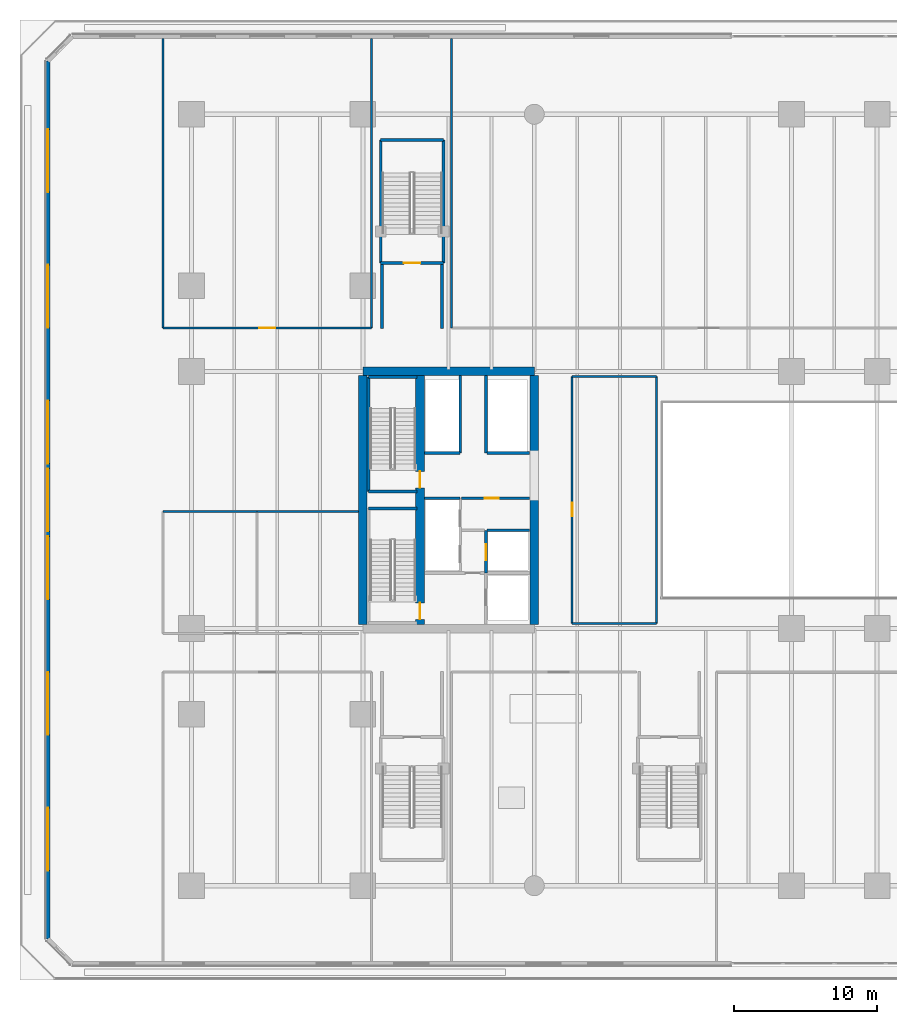
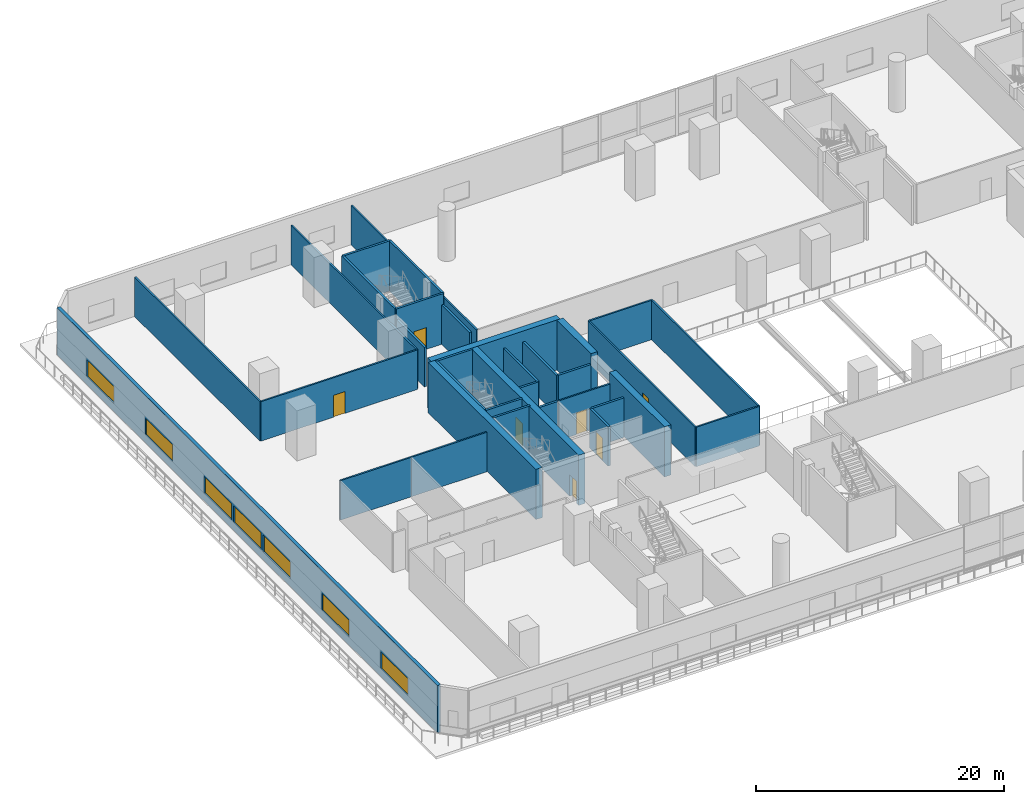
# One storey, part 7 of 24: 34 walls, 7 doors, 7 windows, 14 openings.
"""IFC4 building model written with IfcOpenShell, lengths in metres."""

from ifc_helpers import new_model, si_unit, direction, frame, frame_2d, origin, place, context, subcontext, project, spatial, rectangle, extrude, material, layer, layer_set, type_object, element, fill, save


model = new_model("IFC4")

# Units and contexts
model_context = context("Model", 3, precision=1e-05, world=origin(), true_north=direction((0.0, 1.0)))
body_context = subcontext(model_context, "Body", "Model", "MODEL_VIEW")
ifc_project = project(units=[si_unit("LENGTHUNIT", "METRE"), si_unit("AREAUNIT", "SQUARE_METRE"), si_unit("VOLUMEUNIT", "CUBIC_METRE"), si_unit("PLANEANGLEUNIT", "RADIAN"), si_unit("MASSUNIT", "GRAM", prefix="KILO")], contexts=[model_context])

# Site, building, storey
site_placement = place(None, origin())
site = spatial("IfcSite", under=ifc_project, at=site_placement, CompositionType="ELEMENT")
building_placement = place(site_placement, origin())
building = spatial("IfcBuilding", under=site, at=building_placement, Name="Tanjung Sevakor Pilgrim Tower", CompositionType="ELEMENT")
storey_placement = place(building_placement, frame((0.0, 0.0, 4.949951171875)))
storey = spatial("IfcBuildingStorey", under=building, at=storey_placement, Name="L02", CompositionType="ELEMENT", Elevation=4.949951171875)

# Walls
ifc_material_1 = material(Name="Concrete C60/75", Category="concrete")
ifc_layer_1 = layer(ifc_material_1, 0.60009765625)
ifc_layer_set_1 = layer_set([ifc_layer_1], Name="WALL-CW-600")
wall_type_1 = type_object("IfcWallType", Name="WALL-CW-600", PredefinedType="SHEAR", material=ifc_layer_set_1)
wall_1_placement = place(storey_placement, frame((36.0, 42.60009765625, 0.0), z_axis=(0.0, 0.0, 1.0), x_axis=(-1.0, 0.0, 0.0)))
element("IfcWall", 1, at=wall_1_placement, inside=storey, type_object=wall_type_1, Name="L02 W Core North Shear Wall", PredefinedType="SHEAR", context=body_context, shape_type="SweptSolid", body=[
    extrude(rectangle(XDim=12.0, YDim=0.60009765625, at=frame_2d((6.0, 0.0))), origin(), (0.0, 0.0, 1.0), 4.949951171875),
])
wall_2_placement = place(storey_placement, frame((24.0, 24.89990234375, 0.0), z_axis=(0.0, 0.0, 1.0), x_axis=(0.0, 1.0, 0.0)))
element("IfcWall", 2, at=wall_2_placement, inside=storey, type_object=wall_type_1, Name="L02 W Core Outer Shear Wall", PredefinedType="SHEAR", context=body_context, shape_type="SweptSolid", body=[
    extrude(rectangle(XDim=17.400146484375, YDim=0.60009765625, at=frame_2d((8.7001953125, 0.0))), origin(), (0.0, 0.0, 1.0), 4.949951171875),
])
wall_3_placement = place(storey_placement, frame((36.0, 24.89990234375, 0.0), z_axis=(0.0, 0.0, 1.0), x_axis=(0.0, 1.0, 0.0)))
element("IfcWall", 3, at=wall_3_placement, inside=storey, type_object=wall_type_1, Name="L02 W Core Inner Shear Wall South", PredefinedType="SHEAR", context=body_context, shape_type="SweptSolid", body=[
    extrude(rectangle(XDim=8.900146484375, YDim=0.60009765625, at=frame_2d((4.4501953125, 0.0))), origin(), (0.0, 0.0, 1.0), 4.949951171875),
])
wall_4_placement = place(storey_placement, frame((36.0, 36.800048828125, 0.0), z_axis=(0.0, 0.0, 1.0), x_axis=(0.0, 1.0, 0.0)))
element("IfcWall", 4, at=wall_4_placement, inside=storey, type_object=wall_type_1, Name="L02 W Core Inner Shear Wall North", PredefinedType="SHEAR", context=body_context, shape_type="SweptSolid", body=[
    extrude(rectangle(XDim=5.5, YDim=0.60009765625, at=frame_2d((2.75, 0.0))), origin(), (0.0, 0.0, 1.0), 4.949951171875),
])

# Wall, openings, doors
wall_5_placement = place(storey_placement, frame((28.0, 24.89990234375, 0.0), z_axis=(0.0, 0.0, 1.0), x_axis=(0.0, 1.0, 0.0)))
wall_5 = element("IfcWall", 5, at=wall_5_placement, inside=storey, type_object=wall_type_1, Name="L02 W Core Stair Spine Wall", PredefinedType="SHEAR", context=body_context, shape_type="SweptSolid", body=[
    extrude(rectangle(XDim=17.400146484375, YDim=0.60009765625, at=frame_2d((8.7001953125, 0.0))), origin(), (0.0, 0.0, 1.0), 4.949951171875),
])
opening_1_placement = place(wall_5_placement, frame((0.35009765625, 0.0, 0.0)))
opening_1 = element("IfcOpeningElement", 6, at=opening_1_placement, cuts=wall_5, Name="Opening ID-ST1", PredefinedType="OPENING", context=body_context, shape_type="SweptSolid", body=[
    extrude(rectangle(XDim=1.14990234375, YDim=2.14990234375, at=frame_2d((0.574951171875, 1.074951171875))), frame((0.0, 0.31005859375, 0.0), z_axis=(0.0, -1.0, 0.0), x_axis=(1.0, 0.0, 0.0)), (0.0, 0.0, 1.0), 0.6201171875),
])
opening_2_placement = place(wall_5_placement, frame((9.550048828125, 0.0, 0.0)))
opening_2 = element("IfcOpeningElement", 7, at=opening_2_placement, cuts=wall_5, Name="Opening ID-ST1", PredefinedType="OPENING", context=body_context, shape_type="SweptSolid", body=[
    extrude(rectangle(XDim=1.14990234375, YDim=2.14990234375, at=frame_2d((0.574951171875, 1.074951171875))), frame((0.0, 0.31005859375, 0.0), z_axis=(0.0, -1.0, 0.0), x_axis=(1.0, 0.0, 0.0)), (0.0, 0.0, 1.0), 0.6201171875),
])
ifc_material_2 = material(Name="Fire-Rated Steel S355J2", Category="steel")
door_type_1 = type_object("IfcDoorType", Name="DT-FIRE-1150", OperationType="NOTDEFINED", PredefinedType="DOOR", material=ifc_material_2)
door_1_placement = place(opening_1_placement, origin())
door_1 = element("IfcDoor", 8, at=door_1_placement, inside=storey, type_object=door_type_1, Name="L02 TS-W1 Stair Fire Door", OperationType="SINGLE_SWING_RIGHT", OverallHeight=2.14990234375, OverallWidth=1.14990234375, PredefinedType="DOOR", context=body_context, shape_type="SweptSolid", body=[
    extrude(rectangle(XDim=1.14990234375, YDim=2.14990234375, at=frame_2d((0.574951171875, 1.074951171875))), frame((0.0, 0.02490234375, 0.0), z_axis=(0.0, -1.0, 0.0), x_axis=(1.0, 0.0, 0.0)), (0.0, 0.0, 1.0), 0.050048828125),
])
fill(opening_1, door_1)
door_2_placement = place(opening_2_placement, origin())
door_2 = element("IfcDoor", 9, at=door_2_placement, inside=storey, type_object=door_type_1, Name="L02 TS-W2 Stair Fire Door", OperationType="SINGLE_SWING_LEFT", OverallHeight=2.14990234375, OverallWidth=1.14990234375, PredefinedType="DOOR", context=body_context, shape_type="SweptSolid", body=[
    extrude(rectangle(XDim=1.14990234375, YDim=2.14990234375, at=frame_2d((0.574951171875, 1.074951171875))), frame((0.0, 0.02490234375, 0.0), z_axis=(0.0, -1.0, 0.0), x_axis=(1.0, 0.0, 0.0)), (0.0, 0.0, 1.0), 0.050048828125),
])
fill(opening_2, door_2)

# Wall, opening, door
ifc_material_3 = material(Name="Concrete C40/50", Category="concrete")
ifc_layer_2 = layer(ifc_material_3, 0.14990234375)
ifc_layer_set_2 = layer_set([ifc_layer_2], Name="WT-COMP-150")
wall_type_2 = type_object("IfcWallType", Name="WT-COMP-150", PredefinedType="SOLIDWALL", material=ifc_layer_set_2)
wall_6_placement = place(storey_placement, frame((30.89990234375, 33.719970703125, 0.0), z_axis=(0.0, 0.0, 1.0), x_axis=(1.0, 0.0, 0.0)))
wall_6 = element("IfcWall", 10, at=wall_6_placement, inside=storey, type_object=wall_type_2, Name="L02 Partition IW-L02-008", PredefinedType="SOLIDWALL", context=body_context, shape_type="SweptSolid", body=[
    extrude(rectangle(XDim=4.780029296875, YDim=0.14990234375, at=frame_2d((2.39013671875, 0.0))), origin(), (0.0, 0.0, 1.0), 3.889892578125),
])
opening_3_placement = place(wall_6_placement, frame((1.64990234375, 0.0, 0.0)))
opening_3 = element("IfcOpeningElement", 11, at=opening_3_placement, cuts=wall_6, Name="Opening ID-FD2", PredefinedType="OPENING", context=body_context, shape_type="SweptSolid", body=[
    extrude(rectangle(XDim=0.949951171875, YDim=2.14990234375, at=frame_2d((0.47509765625, 1.074951171875))), frame((0.0, 0.0849609375, 0.0), z_axis=(0.0, -1.0, 0.0), x_axis=(1.0, 0.0, 0.0)), (0.0, 0.0, 1.0), 0.169921875),
])
ifc_material_4 = material(Name="Fire-Rated Timber", Category="wood")
door_type_2 = type_object("IfcDoorType", Name="DT-FIRE-950", OperationType="NOTDEFINED", PredefinedType="DOOR", material=ifc_material_4)
door_3_placement = place(opening_3_placement, origin())
door_3 = element("IfcDoor", 12, at=door_3_placement, inside=storey, type_object=door_type_2, Name="L02 Accessible WC Door", OperationType="SINGLE_SWING_RIGHT", OverallHeight=2.14990234375, OverallWidth=0.949951171875, PredefinedType="DOOR", context=body_context, shape_type="SweptSolid", body=[
    extrude(rectangle(XDim=0.949951171875, YDim=2.14990234375, at=frame_2d((0.47509765625, 1.074951171875))), frame((0.0, 0.02490234375, 0.0), z_axis=(0.0, -1.0, 0.0), x_axis=(1.0, 0.0, 0.0)), (0.0, 0.0, 1.0), 0.050048828125),
])
fill(opening_3, door_3)

# Walls
wall_7_placement = place(storey_placement, frame((30.199951171875, 45.64990234375, 0.0), z_axis=(0.0, 0.0, 1.0), x_axis=(0.0, 1.0, 0.0)))
element("IfcWall", 13, at=wall_7_placement, inside=storey, type_object=wall_type_2, Name="L02 Partition IW-L02-043", PredefinedType="SOLIDWALL", context=body_context, shape_type="SweptSolid", body=[
    extrude(rectangle(XDim=20.25, YDim=0.14990234375, at=frame_2d((10.125, 0.0))), origin(), (0.0, 0.0, 1.0), 3.889892578125),
])
wall_8_placement = place(storey_placement, frame((10.0, 32.800048828125, 0.0), z_axis=(0.0, 0.0, 1.0), x_axis=(1.0, 0.0, 0.0)))
element("IfcWall", 14, at=wall_8_placement, inside=storey, type_object=wall_type_2, Name="L02 Partition IW-L02-046", PredefinedType="SOLIDWALL", context=body_context, shape_type="SweptSolid", body=[
    extrude(rectangle(XDim=6.60009765625, YDim=0.14990234375, at=frame_2d((3.300048828125, 0.0))), origin(), (0.0, 0.0, 1.0), 3.889892578125),
])
wall_9_placement = place(storey_placement, frame((16.60009765625, 32.800048828125, 0.0), z_axis=(0.0, 0.0, 1.0), x_axis=(1.0, 0.0, 0.0)))
element("IfcWall", 15, at=wall_9_placement, inside=storey, type_object=wall_type_2, Name="L02 Partition IW-L02-050", PredefinedType="SOLIDWALL", context=body_context, shape_type="SweptSolid", body=[
    extrude(rectangle(XDim=7.079833984375, YDim=0.14990234375, at=frame_2d((3.5400390625, 0.0))), origin(), (0.0, 0.0, 1.0), 3.889892578125),
])

# Wall, opening, door
wall_10_placement = place(storey_placement, frame((10.0, 45.64990234375, 0.0), z_axis=(0.0, 0.0, 1.0), x_axis=(1.0, 0.0, 0.0)))
wall_10 = element("IfcWall", 16, at=wall_10_placement, inside=storey, type_object=wall_type_2, Name="L02 Partition IW-L02-057", PredefinedType="SOLIDWALL", context=body_context, shape_type="SweptSolid", body=[
    extrude(rectangle(XDim=14.60009765625, YDim=0.14990234375, at=frame_2d((7.300048828125, 0.0))), origin(), (0.0, 0.0, 1.0), 3.889892578125),
])
opening_4_placement = place(wall_10_placement, frame((6.75, 0.0, 0.0)))
opening_4 = element("IfcOpeningElement", 17, at=opening_4_placement, cuts=wall_10, Name="Opening ID-RM2", PredefinedType="OPENING", context=body_context, shape_type="SweptSolid", body=[
    extrude(rectangle(XDim=1.10009765625, YDim=2.14990234375, at=frame_2d((0.550048828125, 1.074951171875))), frame((0.0, 0.0849609375, 0.0), z_axis=(0.0, -1.0, 0.0), x_axis=(1.0, 0.0, 0.0)), (0.0, 0.0, 1.0), 0.169921875),
])
ifc_material_5 = material(Name="Hardwood Timber", Category="wood")
door_type_3 = type_object("IfcDoorType", Name="DT-INT-1100", OperationType="NOTDEFINED", PredefinedType="DOOR", material=ifc_material_5)
door_4_placement = place(opening_4_placement, origin())
door_4 = element("IfcDoor", 18, at=door_4_placement, inside=storey, type_object=door_type_3, Name="L02 Seminar Room Door", OperationType="SINGLE_SWING_RIGHT", OverallHeight=2.14990234375, OverallWidth=1.10009765625, PredefinedType="DOOR", context=body_context, shape_type="SweptSolid", body=[
    extrude(rectangle(XDim=1.10009765625, YDim=2.14990234375, at=frame_2d((0.550048828125, 1.074951171875))), frame((0.0, 0.02490234375, 0.0), z_axis=(0.0, -1.0, 0.0), x_axis=(1.0, 0.0, 0.0)), (0.0, 0.0, 1.0), 0.050048828125),
])
fill(opening_4, door_4)

# Walls
for number, where, z_axis, x_axis, name in (
    (19, (10.0, 45.64990234375, 0.0), (0.0, 0.0, 1.0), (0.0, 1.0, 0.0), "L02 Partition IW-L02-058"),
    (20, (24.60009765625, 45.64990234375, 0.0), (0.0, 0.0, 1.0), (0.0, 1.0, 0.0), "L02 Partition IW-L02-059"),
):
    element("IfcWall", number, at=place(storey_placement, frame(where, z_axis=z_axis, x_axis=x_axis)), inside=storey, type_object=wall_type_2, Name=name, PredefinedType="SOLIDWALL", context=body_context, shape_type="SweptSolid", body=[
        extrude(rectangle(XDim=20.25, YDim=0.14990234375, at=frame_2d((10.125, 0.0))), origin(), (0.0, 0.0, 1.0), 3.889892578125),
    ])
for number, where, z_axis, x_axis, name in (
    (21, (38.64990234375, 24.949951171875, 0.0), (0.0, 0.0, 1.0), (1.0, 0.0, 0.0), "L02 Partition IW-L02-065"),
    (22, (38.64990234375, 42.25, 0.0), (0.0, 0.0, 1.0), (1.0, 0.0, 0.0), "L02 Partition IW-L02-066"),
):
    element("IfcWall", number, at=place(storey_placement, frame(where, z_axis=z_axis, x_axis=x_axis)), inside=storey, type_object=wall_type_2, Name=name, PredefinedType="SOLIDWALL", context=body_context, shape_type="SweptSolid", body=[
        extrude(rectangle(XDim=5.900146484375, YDim=0.14990234375, at=frame_2d((2.9501953125, 0.0))), origin(), (0.0, 0.0, 1.0), 3.889892578125),
    ])

# Wall, opening, door
wall_11_placement = place(storey_placement, frame((38.64990234375, 24.949951171875, 0.0), z_axis=(0.0, 0.0, 1.0), x_axis=(0.0, 1.0, 0.0)))
wall_11 = element("IfcWall", 23, at=wall_11_placement, inside=storey, type_object=wall_type_2, Name="L02 Partition IW-L02-067", PredefinedType="SOLIDWALL", context=body_context, shape_type="SweptSolid", body=[
    extrude(rectangle(XDim=17.300048828125, YDim=0.14990234375, at=frame_2d((8.64990234375, 0.0))), origin(), (0.0, 0.0, 1.0), 3.889892578125),
])
opening_5_placement = place(wall_11_placement, frame((7.52490234375, 0.0, 0.0)))
opening_5 = element("IfcOpeningElement", 24, at=opening_5_placement, cuts=wall_11, Name="Opening ID-RM1", PredefinedType="OPENING", context=body_context, shape_type="SweptSolid", body=[
    extrude(rectangle(XDim=0.949951171875, YDim=2.14990234375, at=frame_2d((0.47509765625, 1.074951171875))), frame((0.0, 0.0849609375, 0.0), z_axis=(0.0, -1.0, 0.0), x_axis=(1.0, 0.0, 0.0)), (0.0, 0.0, 1.0), 0.169921875),
])
ifc_material_6 = material(Name="Hardwood Timber", Category="wood")
door_type_4 = type_object("IfcDoorType", Name="DT-INT-950", OperationType="NOTDEFINED", PredefinedType="DOOR", material=ifc_material_6)
door_5_placement = place(opening_5_placement, origin())
door_5 = element("IfcDoor", 25, at=door_5_placement, inside=storey, type_object=door_type_4, Name="L02 Atrium W Reading Door", OperationType="SINGLE_SWING_LEFT", OverallHeight=2.14990234375, OverallWidth=0.949951171875, PredefinedType="DOOR", context=body_context, shape_type="SweptSolid", body=[
    extrude(rectangle(XDim=0.949951171875, YDim=2.14990234375, at=frame_2d((0.47509765625, 1.074951171875))), frame((0.0, 0.02490234375, 0.0), z_axis=(0.0, -1.0, 0.0), x_axis=(1.0, 0.0, 0.0)), (0.0, 0.0, 1.0), 0.050048828125),
])
fill(opening_5, door_5)

# Wall
wall_12_placement = place(storey_placement, frame((44.550048828125, 24.949951171875, 0.0), z_axis=(0.0, 0.0, 1.0), x_axis=(0.0, 1.0, 0.0)))
element("IfcWall", 26, at=wall_12_placement, inside=storey, type_object=wall_type_2, Name="L02 Partition IW-L02-068", PredefinedType="SOLIDWALL", context=body_context, shape_type="SweptSolid", body=[
    extrude(rectangle(XDim=17.300048828125, YDim=0.14990234375, at=frame_2d((8.64990234375, 0.0))), origin(), (0.0, 0.0, 1.0), 3.889892578125),
])

# Wall, openings, windows
ifc_material_7 = material(Name="Precast concrete C45/55", Category="concrete")
ifc_layer_3 = layer(ifc_material_7, 0.300048828125)
ifc_layer_set_3 = layer_set([ifc_layer_3], Name="WT-EW-STN1")
wall_type_3 = type_object("IfcWallType", Name="WT-EW-STN1", PredefinedType="SOLIDWALL", material=ifc_layer_set_3)
wall_13_placement = place(storey_placement, frame((1.949951171875, 64.337890625, 0.0), z_axis=(0.0, 0.0, 1.0), x_axis=(0.0, -1.0, 0.0)))
wall_13 = element("IfcWall", 27, at=wall_13_placement, inside=storey, type_object=wall_type_3, Name="L02 MAIN Exterior Wall 7", PredefinedType="SOLIDWALL", context=body_context, shape_type="SweptSolid", body=[
    extrude(rectangle(XDim=61.475830078125, YDim=0.300048828125, at=frame_2d((30.73779296875, 0.0))), origin(), (0.0, 0.0, 1.0), 4.669921875),
])
opening_6_placement = place(wall_13_placement, frame((28.537841796875, 0.0, 0.780029296875)))
opening_6 = element("IfcOpeningElement", 28, at=opening_6_placement, cuts=wall_13, Name="Opening WN-ENDW-1660", PredefinedType="OPENING", context=body_context, shape_type="SweptSolid", body=[
    extrude(rectangle(XDim=4.39990234375, YDim=1.659912109375, at=frame_2d((2.199951171875, 0.830078125))), frame((0.0, 0.159912109375, 0.0), z_axis=(0.0, -1.0, 0.0), x_axis=(1.0, 0.0, 0.0)), (0.0, 0.0, 1.0), 0.320068359375),
])
opening_7_placement = place(wall_13_placement, frame((4.787841796875, 0.0, 0.780029296875)))
opening_7 = element("IfcOpeningElement", 29, at=opening_7_placement, cuts=wall_13, Name="Opening WN-ENDW-1660", PredefinedType="OPENING", context=body_context, shape_type="SweptSolid", body=[
    extrude(rectangle(XDim=4.39990234375, YDim=1.659912109375, at=frame_2d((2.199951171875, 0.830078125))), frame((0.0, 0.159912109375, 0.0), z_axis=(0.0, -1.0, 0.0), x_axis=(1.0, 0.0, 0.0)), (0.0, 0.0, 1.0), 0.320068359375),
])
opening_8_placement = place(wall_13_placement, frame((14.287841796875, 0.0, 0.780029296875)))
opening_8 = element("IfcOpeningElement", 30, at=opening_8_placement, cuts=wall_13, Name="Opening WN-ENDW-1660", PredefinedType="OPENING", context=body_context, shape_type="SweptSolid", body=[
    extrude(rectangle(XDim=4.39990234375, YDim=1.659912109375, at=frame_2d((2.199951171875, 0.830078125))), frame((0.0, 0.159912109375, 0.0), z_axis=(0.0, -1.0, 0.0), x_axis=(1.0, 0.0, 0.0)), (0.0, 0.0, 1.0), 0.320068359375),
])
opening_9_placement = place(wall_13_placement, frame((23.787841796875, 0.0, 0.780029296875)))
opening_9 = element("IfcOpeningElement", 31, at=opening_9_placement, cuts=wall_13, Name="Opening WN-ENDW-1660", PredefinedType="OPENING", context=body_context, shape_type="SweptSolid", body=[
    extrude(rectangle(XDim=4.39990234375, YDim=1.659912109375, at=frame_2d((2.199951171875, 0.830078125))), frame((0.0, 0.159912109375, 0.0), z_axis=(0.0, -1.0, 0.0), x_axis=(1.0, 0.0, 0.0)), (0.0, 0.0, 1.0), 0.320068359375),
])
opening_10_placement = place(wall_13_placement, frame((33.287841796875, 0.0, 0.780029296875)))
opening_10 = element("IfcOpeningElement", 32, at=opening_10_placement, cuts=wall_13, Name="Opening WN-ENDW-1660", PredefinedType="OPENING", context=body_context, shape_type="SweptSolid", body=[
    extrude(rectangle(XDim=4.39990234375, YDim=1.659912109375, at=frame_2d((2.199951171875, 0.830078125))), frame((0.0, 0.159912109375, 0.0), z_axis=(0.0, -1.0, 0.0), x_axis=(1.0, 0.0, 0.0)), (0.0, 0.0, 1.0), 0.320068359375),
])
opening_11_placement = place(wall_13_placement, frame((42.787841796875, 0.0, 0.780029296875)))
opening_11 = element("IfcOpeningElement", 33, at=opening_11_placement, cuts=wall_13, Name="Opening WN-ENDW-1660", PredefinedType="OPENING", context=body_context, shape_type="SweptSolid", body=[
    extrude(rectangle(XDim=4.39990234375, YDim=1.659912109375, at=frame_2d((2.199951171875, 0.830078125))), frame((0.0, 0.159912109375, 0.0), z_axis=(0.0, -1.0, 0.0), x_axis=(1.0, 0.0, 0.0)), (0.0, 0.0, 1.0), 0.320068359375),
])
opening_12_placement = place(wall_13_placement, frame((52.287841796875, 0.0, 0.780029296875)))
opening_12 = element("IfcOpeningElement", 34, at=opening_12_placement, cuts=wall_13, Name="Opening WN-ENDW-1660", PredefinedType="OPENING", context=body_context, shape_type="SweptSolid", body=[
    extrude(rectangle(XDim=4.39990234375, YDim=1.659912109375, at=frame_2d((2.199951171875, 0.830078125))), frame((0.0, 0.159912109375, 0.0), z_axis=(0.0, -1.0, 0.0), x_axis=(1.0, 0.0, 0.0)), (0.0, 0.0, 1.0), 0.320068359375),
])
ifc_material_8 = material(Name="Thermally Broken Aluminium and Low-E Glass", Category="aluminium")
window_type = type_object("IfcWindowType", Name="WTYP-WN-ENDW-1660", PartitioningType="DOUBLE_PANEL_VERTICAL", PredefinedType="WINDOW", material=ifc_material_8)
window_1_placement = place(opening_6_placement, origin())
window_1 = element("IfcWindow", 35, at=window_1_placement, inside=storey, type_object=window_type, Name="L02 Facade Window 01", OverallHeight=1.659912109375, OverallWidth=4.39990234375, PartitioningType="SINGLE_PANEL", PredefinedType="WINDOW", context=body_context, shape_type="SweptSolid", body=[
    extrude(rectangle(XDim=4.39990234375, YDim=1.659912109375, at=frame_2d((2.199951171875, 0.830078125))), frame((0.0, 0.030029296875, 0.0), z_axis=(0.0, -1.0, 0.0), x_axis=(1.0, 0.0, 0.0)), (0.0, 0.0, 1.0), 0.06005859375),
])
fill(opening_6, window_1)
window_2_placement = place(opening_7_placement, origin())
window_2 = element("IfcWindow", 36, at=window_2_placement, inside=storey, type_object=window_type, Name="L02 Facade Window 02", OverallHeight=1.659912109375, OverallWidth=4.39990234375, PartitioningType="SINGLE_PANEL", PredefinedType="WINDOW", context=body_context, shape_type="SweptSolid", body=[
    extrude(rectangle(XDim=4.39990234375, YDim=1.659912109375, at=frame_2d((2.199951171875, 0.830078125))), frame((0.0, 0.030029296875, 0.0), z_axis=(0.0, -1.0, 0.0), x_axis=(1.0, 0.0, 0.0)), (0.0, 0.0, 1.0), 0.06005859375),
])
fill(opening_7, window_2)
window_3_placement = place(opening_8_placement, origin())
window_3 = element("IfcWindow", 37, at=window_3_placement, inside=storey, type_object=window_type, Name="L02 Facade Window 03", OverallHeight=1.659912109375, OverallWidth=4.39990234375, PartitioningType="SINGLE_PANEL", PredefinedType="WINDOW", context=body_context, shape_type="SweptSolid", body=[
    extrude(rectangle(XDim=4.39990234375, YDim=1.659912109375, at=frame_2d((2.199951171875, 0.830078125))), frame((0.0, 0.030029296875, 0.0), z_axis=(0.0, -1.0, 0.0), x_axis=(1.0, 0.0, 0.0)), (0.0, 0.0, 1.0), 0.06005859375),
])
fill(opening_8, window_3)
window_4_placement = place(opening_9_placement, origin())
window_4 = element("IfcWindow", 38, at=window_4_placement, inside=storey, type_object=window_type, Name="L02 Facade Window 04", OverallHeight=1.659912109375, OverallWidth=4.39990234375, PartitioningType="SINGLE_PANEL", PredefinedType="WINDOW", context=body_context, shape_type="SweptSolid", body=[
    extrude(rectangle(XDim=4.39990234375, YDim=1.659912109375, at=frame_2d((2.199951171875, 0.830078125))), frame((0.0, 0.030029296875, 0.0), z_axis=(0.0, -1.0, 0.0), x_axis=(1.0, 0.0, 0.0)), (0.0, 0.0, 1.0), 0.06005859375),
])
fill(opening_9, window_4)
window_5_placement = place(opening_10_placement, origin())
window_5 = element("IfcWindow", 39, at=window_5_placement, inside=storey, type_object=window_type, Name="L02 Facade Window 05", OverallHeight=1.659912109375, OverallWidth=4.39990234375, PartitioningType="SINGLE_PANEL", PredefinedType="WINDOW", context=body_context, shape_type="SweptSolid", body=[
    extrude(rectangle(XDim=4.39990234375, YDim=1.659912109375, at=frame_2d((2.199951171875, 0.830078125))), frame((0.0, 0.030029296875, 0.0), z_axis=(0.0, -1.0, 0.0), x_axis=(1.0, 0.0, 0.0)), (0.0, 0.0, 1.0), 0.06005859375),
])
fill(opening_10, window_5)
window_6_placement = place(opening_11_placement, origin())
window_6 = element("IfcWindow", 40, at=window_6_placement, inside=storey, type_object=window_type, Name="L02 Facade Window 06", OverallHeight=1.659912109375, OverallWidth=4.39990234375, PartitioningType="SINGLE_PANEL", PredefinedType="WINDOW", context=body_context, shape_type="SweptSolid", body=[
    extrude(rectangle(XDim=4.39990234375, YDim=1.659912109375, at=frame_2d((2.199951171875, 0.830078125))), frame((0.0, 0.030029296875, 0.0), z_axis=(0.0, -1.0, 0.0), x_axis=(1.0, 0.0, 0.0)), (0.0, 0.0, 1.0), 0.06005859375),
])
fill(opening_11, window_6)
window_7_placement = place(opening_12_placement, origin())
window_7 = element("IfcWindow", 41, at=window_7_placement, inside=storey, type_object=window_type, Name="L02 Facade Window 07", OverallHeight=1.659912109375, OverallWidth=4.39990234375, PartitioningType="SINGLE_PANEL", PredefinedType="WINDOW", context=body_context, shape_type="SweptSolid", body=[
    extrude(rectangle(XDim=4.39990234375, YDim=1.659912109375, at=frame_2d((2.199951171875, 0.830078125))), frame((0.0, 0.030029296875, 0.0), z_axis=(0.0, -1.0, 0.0), x_axis=(1.0, 0.0, 0.0)), (0.0, 0.0, 1.0), 0.06005859375),
])
fill(opening_12, window_7)

# Walls
ifc_material_9 = material(Name="Concrete C40/50", Category="concrete")
ifc_layer_4 = layer(ifc_material_9, 0.199951171875)
ifc_layer_set_4 = layer_set([ifc_layer_4], Name="WT-FIRE-200")
wall_type_4 = type_object("IfcWallType", Name="WT-FIRE-200", PredefinedType="SOLIDWALL", material=ifc_layer_set_4)
for number, where, z_axis, x_axis, name in (
    (42, (27.800048828125, 33.0, 0.0), (0.0, 0.0, 1.0), (-1.0, 0.0, 0.0), "L02 TS-W1 Shaft Wall 2"),
    (43, (24.39990234375, 34.199951171875, 0.0), (0.0, 0.0, 1.0), (1.0, 0.0, 0.0), "L02 TS-W2 Shaft Wall 1"),
    (44, (27.800048828125, 42.199951171875, 0.0), (0.0, 0.0, 1.0), (-1.0, 0.0, 0.0), "L02 TS-W2 Shaft Wall 2"),
):
    element("IfcWall", number, at=place(storey_placement, frame(where, z_axis=z_axis, x_axis=x_axis)), inside=storey, type_object=wall_type_4, Name=name, PredefinedType="SOLIDWALL", context=body_context, shape_type="SweptSolid", body=[
        extrude(rectangle(XDim=3.400146484375, YDim=0.199951171875, at=frame_2d((1.7001953125, 0.0))), origin(), (0.0, 0.0, 1.0), 4.949951171875),
    ])
wall_14_placement = place(storey_placement, frame((24.39990234375, 42.199951171875, 0.0), z_axis=(0.0, 0.0, 1.0), x_axis=(0.0, -1.0, 0.0)))
element("IfcWall", 45, at=wall_14_placement, inside=storey, type_object=wall_type_4, Name="L02 TS-W2 Shaft Wall 3", PredefinedType="SOLIDWALL", context=body_context, shape_type="SweptSolid", body=[
    extrude(rectangle(XDim=8.0, YDim=0.199951171875, at=frame_2d((4.0, 0.0))), origin(), (0.0, 0.0, 1.0), 4.949951171875),
])

# Wall, opening, door
wall_15_placement = place(storey_placement, frame((25.25, 50.199951171875, 0.0), z_axis=(0.0, 0.0, 1.0), x_axis=(1.0, 0.0, 0.0)))
wall_15 = element("IfcWall", 46, at=wall_15_placement, inside=storey, type_object=wall_type_4, Name="L02 PS-2 Shaft Wall 1", PredefinedType="SOLIDWALL", context=body_context, shape_type="SweptSolid", body=[
    extrude(rectangle(XDim=4.39990234375, YDim=0.199951171875, at=frame_2d((2.199951171875, 0.0))), origin(), (0.0, 0.0, 1.0), 4.949951171875),
])
opening_13_placement = place(wall_15_placement, frame((1.625, 0.0, 0.0)))
opening_13 = element("IfcOpeningElement", 47, at=opening_13_placement, cuts=wall_15, Name="Opening ID-ST1", PredefinedType="OPENING", context=body_context, shape_type="SweptSolid", body=[
    extrude(rectangle(XDim=1.14990234375, YDim=2.14990234375, at=frame_2d((0.574951171875, 1.074951171875))), frame((0.0, 0.10986328125, 0.0), z_axis=(0.0, -1.0, 0.0), x_axis=(1.0, 0.0, 0.0)), (0.0, 0.0, 1.0), 0.219970703125),
])
door_6_placement = place(opening_13_placement, origin())
door_6 = element("IfcDoor", 48, at=door_6_placement, inside=storey, type_object=door_type_1, Name="L02 PS-2 Stair Entry Fire Door", OperationType="SINGLE_SWING_LEFT", OverallHeight=2.14990234375, OverallWidth=1.14990234375, PredefinedType="DOOR", context=body_context, shape_type="SweptSolid", body=[
    extrude(rectangle(XDim=1.14990234375, YDim=2.14990234375, at=frame_2d((0.574951171875, 1.074951171875))), frame((0.0, 0.02490234375, 0.0), z_axis=(0.0, -1.0, 0.0), x_axis=(1.0, 0.0, 0.0)), (0.0, 0.0, 1.0), 0.050048828125),
])
fill(opening_13, door_6)

# Walls
wall_16_placement = place(storey_placement, frame((29.64990234375, 50.199951171875, 0.0), z_axis=(0.0, 0.0, 1.0), x_axis=(0.0, 1.0, 0.0)))
element("IfcWall", 49, at=wall_16_placement, inside=storey, type_object=wall_type_4, Name="L02 PS-2 Shaft Wall 2", PredefinedType="SOLIDWALL", context=body_context, shape_type="SweptSolid", body=[
    extrude(rectangle(XDim=8.60009765625, YDim=0.199951171875, at=frame_2d((4.300048828125, 0.0))), origin(), (0.0, 0.0, 1.0), 4.949951171875),
])
wall_17_placement = place(storey_placement, frame((29.64990234375, 58.800048828125, 0.0), z_axis=(0.0, 0.0, 1.0), x_axis=(-1.0, 0.0, 0.0)))
element("IfcWall", 50, at=wall_17_placement, inside=storey, type_object=wall_type_4, Name="L02 PS-2 Shaft Wall 3", PredefinedType="SOLIDWALL", context=body_context, shape_type="SweptSolid", body=[
    extrude(rectangle(XDim=4.39990234375, YDim=0.199951171875, at=frame_2d((2.199951171875, 0.0))), origin(), (0.0, 0.0, 1.0), 4.949951171875),
])
wall_18_placement = place(storey_placement, frame((25.25, 58.800048828125, 0.0), z_axis=(0.0, 0.0, 1.0), x_axis=(0.0, -1.0, 0.0)))
element("IfcWall", 51, at=wall_18_placement, inside=storey, type_object=wall_type_4, Name="L02 PS-2 Shaft Wall 4", PredefinedType="SOLIDWALL", context=body_context, shape_type="SweptSolid", body=[
    extrude(rectangle(XDim=8.60009765625, YDim=0.199951171875, at=frame_2d((4.300048828125, 0.0))), origin(), (0.0, 0.0, 1.0), 4.949951171875),
])
ifc_material_10 = material(Name="Concrete C40/50", Category="concrete")
ifc_layer_5 = layer(ifc_material_10, 0.199951171875)
ifc_layer_set_5 = layer_set([ifc_layer_5], Name="WT-FPRT-200")
wall_type_5 = type_object("IfcWallType", Name="WT-FPRT-200", PredefinedType="SOLIDWALL", material=ifc_layer_set_5)
wall_19_placement = place(storey_placement, frame((28.320068359375, 33.719970703125, 0.0), z_axis=(0.0, 0.0, 1.0), x_axis=(1.0, 0.0, 0.0)))
element("IfcWall", 52, at=wall_19_placement, inside=storey, type_object=wall_type_5, Name="L02 Partition IW-L02-003", PredefinedType="SOLIDWALL", context=body_context, shape_type="SweptSolid", body=[
    extrude(rectangle(XDim=2.47998046875, YDim=0.199951171875, at=frame_2d((1.239990234375, 0.0))), origin(), (0.0, 0.0, 1.0), 3.889892578125),
])
wall_20_placement = place(storey_placement, frame((32.679931640625, 31.47998046875, 0.0), z_axis=(0.0, 0.0, 1.0), x_axis=(1.0, 0.0, 0.0)))
element("IfcWall", 53, at=wall_20_placement, inside=storey, type_object=wall_type_5, Name="L02 Partition IW-L02-005", PredefinedType="SOLIDWALL", context=body_context, shape_type="SweptSolid", body=[
    extrude(rectangle(XDim=3.0, YDim=0.199951171875, at=frame_2d((1.5, 0.0))), origin(), (0.0, 0.0, 1.0), 3.889892578125),
])

# Wall, opening, door
wall_21_placement = place(storey_placement, frame((32.6201171875, 28.5, 0.0), z_axis=(0.0, 0.0, 1.0), x_axis=(0.0, 1.0, 0.0)))
wall_21 = element("IfcWall", 54, at=wall_21_placement, inside=storey, type_object=wall_type_5, Name="L02 Partition IW-L02-006", PredefinedType="SOLIDWALL", context=body_context, shape_type="SweptSolid", body=[
    extrude(rectangle(XDim=2.97998046875, YDim=0.199951171875, at=frame_2d((1.489990234375, 0.0))), origin(), (0.0, 0.0, 1.0), 3.889892578125),
])
opening_14_placement = place(wall_21_placement, frame((0.89990234375, 0.0, 0.0)))
opening_14 = element("IfcOpeningElement", 55, at=opening_14_placement, cuts=wall_21, Name="Opening LD-1100", PredefinedType="OPENING", context=body_context, shape_type="SweptSolid", body=[
    extrude(rectangle(XDim=1.10009765625, YDim=2.199951171875, at=frame_2d((0.550048828125, 1.10009765625))), frame((0.0, 0.10986328125, 0.0), z_axis=(0.0, -1.0, 0.0), x_axis=(1.0, 0.0, 0.0)), (0.0, 0.0, 1.0), 0.219970703125),
])
ifc_material_11 = material(Name="Brushed Stainless Steel S355J2", Category="steel")
door_type_5 = type_object("IfcDoorType", Name="DT-LIFT-1100", OperationType="SLIDING_TO_LEFT", PredefinedType="DOOR", material=ifc_material_11)
door_7_placement = place(opening_14_placement, origin())
door_7 = element("IfcDoor", 56, at=door_7_placement, inside=storey, type_object=door_type_5, Name="LD-SLP-W", OperationType="SLIDING_TO_LEFT", OverallHeight=2.199951171875, OverallWidth=1.10009765625, PredefinedType="DOOR", context=body_context, shape_type="SweptSolid", body=[
    extrude(rectangle(XDim=1.10009765625, YDim=2.199951171875, at=frame_2d((0.550048828125, 1.10009765625))), frame((0.0, 0.02490234375, 0.0), z_axis=(0.0, -1.0, 0.0), x_axis=(1.0, 0.0, 0.0)), (0.0, 0.0, 1.0), 0.050048828125),
])
fill(opening_14, door_7)

# Walls
wall_22_placement = place(storey_placement, frame((28.320068359375, 36.8798828125, 0.0), z_axis=(0.0, 0.0, 1.0), x_axis=(1.0, 0.0, 0.0)))
element("IfcWall", 57, at=wall_22_placement, inside=storey, type_object=wall_type_5, Name="L02 Partition IW-L02-009", PredefinedType="SOLIDWALL", context=body_context, shape_type="SweptSolid", body=[
    extrude(rectangle(XDim=2.47998046875, YDim=0.199951171875, at=frame_2d((1.239990234375, 0.0))), origin(), (0.0, 0.0, 1.0), 3.889892578125),
])
wall_23_placement = place(storey_placement, frame((30.820068359375, 36.8798828125, 0.0), z_axis=(0.0, 0.0, 1.0), x_axis=(0.0, 1.0, 0.0)))
element("IfcWall", 58, at=wall_23_placement, inside=storey, type_object=wall_type_5, Name="L02 Partition IW-L02-010", PredefinedType="SOLIDWALL", context=body_context, shape_type="SweptSolid", body=[
    extrude(rectangle(XDim=5.420166015625, YDim=0.199951171875, at=frame_2d((2.7099609375, 0.0))), origin(), (0.0, 0.0, 1.0), 3.889892578125),
])
wall_24_placement = place(storey_placement, frame((32.679931640625, 36.8798828125, 0.0), z_axis=(0.0, 0.0, 1.0), x_axis=(1.0, 0.0, 0.0)))
element("IfcWall", 59, at=wall_24_placement, inside=storey, type_object=wall_type_5, Name="L02 Partition IW-L02-011", PredefinedType="SOLIDWALL", context=body_context, shape_type="SweptSolid", body=[
    extrude(rectangle(XDim=3.0, YDim=0.199951171875, at=frame_2d((1.5, 0.0))), origin(), (0.0, 0.0, 1.0), 3.889892578125),
])
wall_25_placement = place(storey_placement, frame((32.6201171875, 36.8798828125, 0.0), z_axis=(0.0, 0.0, 1.0), x_axis=(0.0, 1.0, 0.0)))
element("IfcWall", 60, at=wall_25_placement, inside=storey, type_object=wall_type_5, Name="L02 Partition IW-L02-012", PredefinedType="SOLIDWALL", context=body_context, shape_type="SweptSolid", body=[
    extrude(rectangle(XDim=5.420166015625, YDim=0.199951171875, at=frame_2d((2.7099609375, 0.0))), origin(), (0.0, 0.0, 1.0), 3.889892578125),
])
for number, where, z_axis, x_axis, name in (
    (61, (25.35009765625, 45.60009765625, 0.0), (0.0, 0.0, 1.0), (0.0, 1.0, 0.0), "L02 Partition IW-L02-031"),
    (62, (29.550048828125, 45.60009765625, 0.0), (0.0, 0.0, 1.0), (0.0, 1.0, 0.0), "L02 Partition IW-L02-032"),
):
    element("IfcWall", number, at=place(storey_placement, frame(where, z_axis=z_axis, x_axis=x_axis)), inside=storey, type_object=wall_type_5, Name=name, PredefinedType="SOLIDWALL", context=body_context, shape_type="SweptSolid", body=[
        extrude(rectangle(XDim=4.599853515625, YDim=0.199951171875, at=frame_2d((2.2998046875, 0.0))), origin(), (0.0, 0.0, 1.0), 3.889892578125),
    ])

save(model, "model.ifc")
